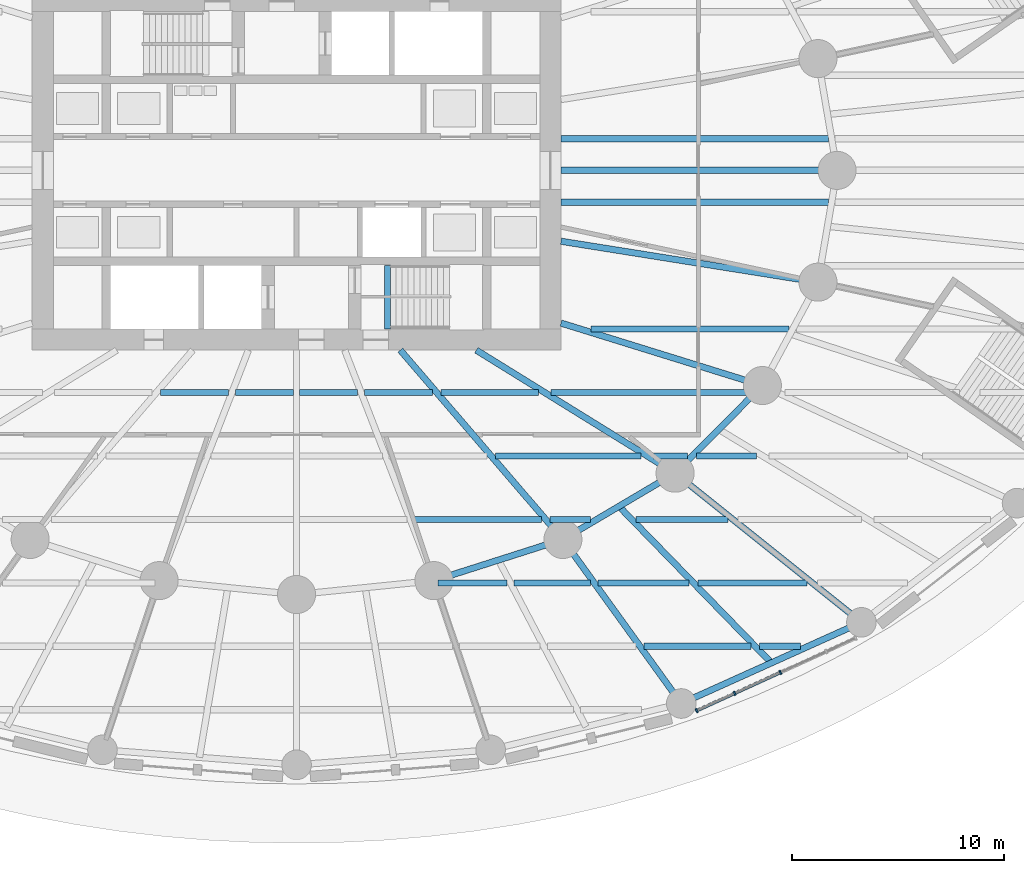
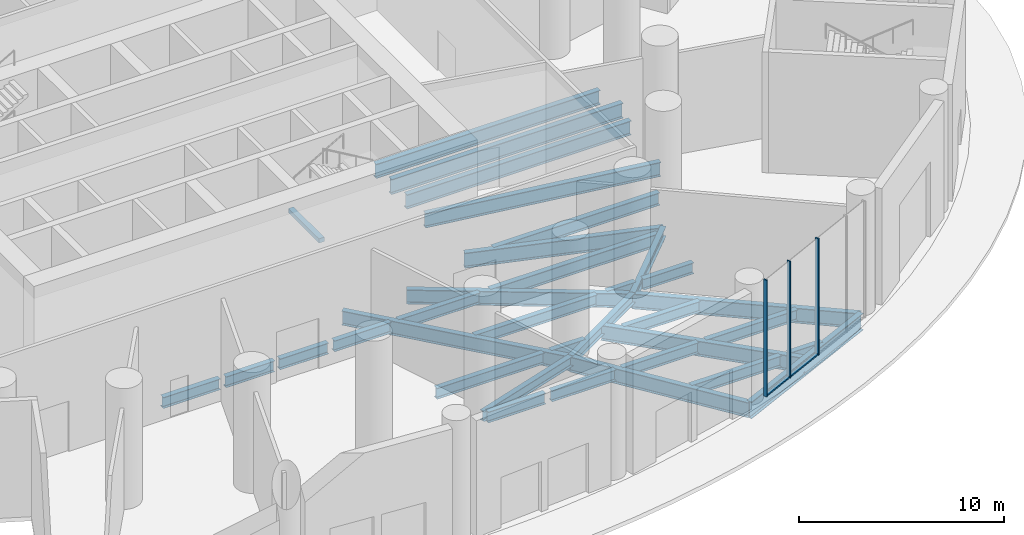
# One storey, part 4 of 22: 34 beams, 5 members, 1 element without a shape of its own.
"""IFC4 building model written with IfcOpenShell, lengths in metres."""

from ifc_helpers import new_model, si_unit, direction, frame, origin, origin_2d, place, context, subcontext, project, spatial, rectangle, i_section, extrude, material, material_profile, profile_set, type_object, element, aggregate, save


model = new_model("IFC4")

# Units and contexts
model_context = context("Model", 3, precision=1e-05, world=origin(), true_north=direction((0.0, 1.0)))
body_context = subcontext(model_context, "Body", "Model", "MODEL_VIEW")
ifc_project = project(units=[si_unit("LENGTHUNIT", "METRE"), si_unit("AREAUNIT", "SQUARE_METRE"), si_unit("VOLUMEUNIT", "CUBIC_METRE"), si_unit("PLANEANGLEUNIT", "RADIAN"), si_unit("MASSUNIT", "GRAM", prefix="KILO")], contexts=[model_context])

# Site, building, storey
site_placement = place(None, origin())
site = spatial("IfcSite", under=ifc_project, at=site_placement, CompositionType="ELEMENT")
building_placement = place(site_placement, origin())
building = spatial("IfcBuilding", under=site, at=building_placement, Name="Hankou Lantern Tower", CompositionType="ELEMENT")
storey_placement = place(building_placement, origin())
storey = spatial("IfcBuildingStorey", under=building, at=storey_placement, Name="L00", CompositionType="ELEMENT", Elevation=0.0)

# Beams
ifc_material_1 = material(Name="Steel Q355B", Category="steel")
ifc_material_profile_1 = material_profile(ifc_material_1, i_section(OverallWidth=0.300048828125, OverallDepth=0.587890625, WebThickness=0.011962890625, FlangeThickness=0.02001953125, FilletRadius=0.01806640625, at=origin_2d()), Name="HM588x300x12x20")
ifc_profile_set_1 = profile_set([ifc_material_profile_1], Name="Steel Q355B")
beam_type_1 = type_object("IfcBeamType", Name="EB16 RING BEAM HM588x300x12x20", PredefinedType="SPANDREL", material=ifc_profile_set_1)
beam_1_placement = place(storey_placement, frame((6.494873046875, -19.391357421875, -0.5439453125), z_axis=(0.952690479428, 0.303942182671, 0.0), x_axis=(-0.303942182671, 0.952690479428, 0.0)))
element("IfcBeam", 1, at=beam_1_placement, inside=storey, type_object=beam_type_1, Name="Ring beam R20-R21 L00", PredefinedType="SPANDREL", context=body_context, shape_type="SweptSolid", body=[
    extrude(i_section(OverallWidth=0.300048828125, OverallDepth=0.587890625, WebThickness=0.011962890625, FlangeThickness=0.02001953125, FilletRadius=0.01806640625, at=origin_2d()), origin(), (0.0, 0.0, 1.0), 6.398681640625),
])
beam_2_placement = place(storey_placement, frame((12.5908203125, -17.446533203125, -0.5439453125), z_axis=(0.860881533543, 0.508805449268, 0.0), x_axis=(-0.508805449268, 0.860881533543, 0.0)))
element("IfcBeam", 2, at=beam_2_placement, inside=storey, type_object=beam_type_1, Name="Ring beam R21-R22 L00", PredefinedType="SPANDREL", context=body_context, shape_type="SweptSolid", body=[
    extrude(i_section(OverallWidth=0.300048828125, OverallDepth=0.587890625, WebThickness=0.011962890625, FlangeThickness=0.02001953125, FilletRadius=0.01806640625, at=origin_2d()), origin(), (0.0, 0.0, 1.0), 6.15771484375),
])
beam_3_placement = place(storey_placement, frame((17.891845703125, -14.3134765625, -0.5439453125), z_axis=(0.705727798394, 0.708483079949, 0.0), x_axis=(-0.708483079949, 0.705727798394, 0.0)))
element("IfcBeam", 3, at=beam_3_placement, inside=storey, type_object=beam_type_1, Name="Ring beam R22-R23 L00", PredefinedType="SPANDREL", context=body_context, shape_type="SweptSolid", body=[
    extrude(i_section(OverallWidth=0.300048828125, OverallDepth=0.587890625, WebThickness=0.011962890625, FlangeThickness=0.02001953125, FilletRadius=0.01806640625, at=origin_2d()), origin(), (0.0, 0.0, 1.0), 5.84814453125),
])
ifc_material_2 = material(Name="Concrete C40", Category="concrete")
ifc_material_profile_2 = material_profile(ifc_material_2, rectangle(XDim=0.300048828125, YDim=0.25, at=origin_2d()), Name="RC 300x250")
ifc_profile_set_2 = profile_set([ifc_material_profile_2], Name="Concrete C40")
beam_type_2 = type_object("IfcBeamType", Name="LB1 STAIR LANDING BEAM RC 300x250", PredefinedType="BEAM", material=ifc_profile_set_2)
beam_4_placement = place(storey_placement, frame((4.300048828125, -4.5, 3.47509765625), z_axis=(0.0, -1.0, 0.0), x_axis=(1.0, 0.0, 0.0)))
element("IfcBeam", 4, at=beam_4_placement, inside=storey, type_object=beam_type_2, Name="Stair STB landing beam L00", PredefinedType="BEAM", context=body_context, shape_type="SweptSolid", body=[
    extrude(rectangle(XDim=0.300048828125, YDim=0.25, at=origin_2d()), origin(), (0.0, 0.0, 1.0), 3.0),
])

# Curtain wall, members
ifc_material_3 = material(Name="Glass, dark grey tinted laminated", Category="glass")
curtain_wall_type = type_object("IfcCurtainWallType", Name="CWP PODIUM CURTAIN WALL", PredefinedType="USERDEFINED", material=ifc_material_3)
curtain_wall_placement = place(storey_placement, origin())
curtain_wall = element("IfcCurtainWall", 5, at=curtain_wall_placement, inside=storey, type_object=curtain_wall_type, Name="CWP L00 PC07", ObjectType="PODIUM GLAZING", PredefinedType="USERDEFINED")
ifc_material_4 = material(Name="Aluminium, black anodised", Category="aluminium")
ifc_material_profile_3 = material_profile(ifc_material_4, rectangle(XDim=0.080078125, YDim=0.199951171875, at=origin_2d()), Name="MU2 80X200")
ifc_profile_set_3 = profile_set([ifc_material_profile_3], Name="Aluminium, black anodised")
member_type_1 = type_object("IfcMemberType", Name="MU2 PODIUM MULLION 80X200", PredefinedType="MULLION", material=ifc_profile_set_3)
member_1_placement = place(storey_placement, frame((18.913818359375, -25.537841796875, 0.0), z_axis=(0.0, 0.0, 1.0), x_axis=(0.909669790944, 0.41533224224, 0.0)))
member_1 = element("IfcMember", 6, at=member_1_placement, type_object=member_type_1, Name="CWP mullion 1", PredefinedType="MULLION", context=body_context, shape_type="SweptSolid", body=[
    extrude(rectangle(XDim=0.080078125, YDim=0.199951171875, at=origin_2d()), origin(), (0.0, 0.0, 1.0), 6.949951171875),
])
member_2_placement = place(storey_placement, frame((20.711669921875, -24.717041015625, 0.0), z_axis=(0.0, 0.0, 1.0), x_axis=(0.909669790944, 0.41533224224, 0.0)))
member_2 = element("IfcMember", 7, at=member_2_placement, type_object=member_type_1, Name="CWP mullion 2", PredefinedType="MULLION", context=body_context, shape_type="SweptSolid", body=[
    extrude(rectangle(XDim=0.080078125, YDim=0.199951171875, at=origin_2d()), origin(), (0.0, 0.0, 1.0), 6.949951171875),
])
member_3_placement = place(storey_placement, frame((22.873046875, -23.730224609375, 0.0), z_axis=(0.0, 0.0, 1.0), x_axis=(0.909669790944, 0.41533224224, 0.0)))
member_3 = element("IfcMember", 8, at=member_3_placement, type_object=member_type_1, Name="CWP mullion 3", PredefinedType="MULLION", context=body_context, shape_type="SweptSolid", body=[
    extrude(rectangle(XDim=0.080078125, YDim=0.199951171875, at=origin_2d()), origin(), (0.0, 0.0, 1.0), 6.949951171875),
])

# Beams
ifc_material_5 = material(Name="Steel Q355B", Category="steel")
ifc_material_profile_4 = material_profile(ifc_material_5, i_section(OverallWidth=0.300048828125, OverallDepth=0.89990234375, WebThickness=0.01611328125, FlangeThickness=0.028076171875, FilletRadius=0.01806640625, at=origin_2d()), Name="HN900x300x16x28")
ifc_profile_set_4 = profile_set([ifc_material_profile_4], Name="Steel Q355B")
beam_type_3 = type_object("IfcBeamType", Name="PB13 PODIUM RADIAL BEAM HN900x300x16x28", PredefinedType="BEAM", material=ifc_profile_set_4)
beam_5_placement = place(storey_placement, frame((12.5908203125, -17.446533203125, -0.699951171875), z_axis=(0.585207097055, -0.810883871807, 0.0), x_axis=(0.810883871807, 0.585207097055, 0.0)))
element("IfcBeam", 9, at=beam_5_placement, inside=storey, type_object=beam_type_3, Name="Podium radial beam R21 L00", PredefinedType="BEAM", context=body_context, shape_type="SweptSolid", body=[
    extrude(i_section(OverallWidth=0.300048828125, OverallDepth=0.89990234375, WebThickness=0.01611328125, FlangeThickness=0.028076171875, FilletRadius=0.01806640625, at=origin_2d()), origin(), (0.0, 0.0, 1.0), 9.56103515625),
])
beam_6_placement = place(storey_placement, frame((17.891845703125, -14.3134765625, -0.699951171875), z_axis=(0.780875142676, -0.624687130931, 0.0), x_axis=(0.624687130931, 0.780875142676, 0.0)))
element("IfcBeam", 10, at=beam_6_placement, inside=storey, type_object=beam_type_3, Name="Podium radial beam R22 L00", PredefinedType="BEAM", context=body_context, shape_type="SweptSolid", body=[
    extrude(i_section(OverallWidth=0.300048828125, OverallDepth=0.89990234375, WebThickness=0.01611328125, FlangeThickness=0.028076171875, FilletRadius=0.01806640625, at=origin_2d()), origin(), (0.0, 0.0, 1.0), 11.28271484375),
])
ifc_material_6 = material(Name="Steel Q355B", Category="steel")
ifc_material_profile_5 = material_profile(ifc_material_6, i_section(OverallWidth=0.300048828125, OverallDepth=1.0, WebThickness=0.01904296875, FlangeThickness=0.035888671875, FilletRadius=0.01806640625, at=origin_2d()), Name="HN1000x300x19x36")
ifc_profile_set_5 = profile_set([ifc_material_profile_5], Name="Steel Q355B")
beam_type_4 = type_object("IfcBeamType", Name="PR22 PODIUM RING BEAM HN1000x300x19x36", PredefinedType="BEAM", material=ifc_profile_set_5)
beam_7_placement = place(storey_placement, frame((18.18603515625, -25.199462890625, -0.75), z_axis=(0.911695429723, 0.410866697874, 0.0), x_axis=(-0.410866697874, 0.911695429723, 0.0)))
element("IfcBeam", 11, at=beam_7_placement, inside=storey, type_object=beam_type_4, Name="Podium ring beam R21-R22 L00", PredefinedType="BEAM", context=body_context, shape_type="SweptSolid", body=[
    extrude(i_section(OverallWidth=0.300048828125, OverallDepth=1.0, WebThickness=0.01904296875, FlangeThickness=0.035888671875, FilletRadius=0.01806640625, at=origin_2d()), origin(), (0.0, 0.0, 1.0), 9.341064453125),
])
ifc_material_7 = material(Name="Steel Q355B", Category="steel")
ifc_material_profile_6 = material_profile(ifc_material_7, i_section(OverallWidth=0.300048828125, OverallDepth=0.89990234375, WebThickness=0.01611328125, FlangeThickness=0.028076171875, FilletRadius=0.01806640625, at=origin_2d()), Name="HN900x300x16x28")
ifc_profile_set_6 = profile_set([ifc_material_profile_6], Name="Steel Q355B")
beam_type_5 = type_object("IfcBeamType", Name="PS13 PODIUM SECONDARY BEAM HN900x300x16x28", PredefinedType="JOIST", material=ifc_profile_set_6)
beam_8_placement = place(storey_placement, frame((15.2412109375, -15.8798828125, -0.699951171875), z_axis=(0.697467529957, -0.716616385981, 0.0), x_axis=(0.716616385981, 0.697467529957, 0.0)))
element("IfcBeam", 12, at=beam_8_placement, inside=storey, type_object=beam_type_5, Name="Podium secondary beam bay R21 L00", PredefinedType="JOIST", context=body_context, shape_type="SweptSolid", body=[
    extrude(i_section(OverallWidth=0.300048828125, OverallDepth=0.89990234375, WebThickness=0.01611328125, FlangeThickness=0.028076171875, FilletRadius=0.01806640625, at=origin_2d()), origin(), (0.0, 0.0, 1.0), 10.3271484375),
])
ifc_material_8 = material(Name="Steel Q355B", Category="steel")
ifc_material_profile_7 = material_profile(ifc_material_8, i_section(OverallWidth=0.300048828125, OverallDepth=0.85009765625, WebThickness=0.01611328125, FlangeThickness=0.027099609375, FilletRadius=0.01806640625, at=origin_2d()), Name="HN850x300x16x27")
ifc_profile_set_7 = profile_set([ifc_material_profile_7], Name="Steel Q355B")
beam_type_6 = type_object("IfcBeamType", Name="RB12 RADIAL BEAM HN850x300x16x27", PredefinedType="BEAM", material=ifc_profile_set_7)
beam_9_placement = place(storey_placement, frame((4.907470703125, -8.5, -0.675048828125), z_axis=(0.651519061225, -0.758632264579, 0.0), x_axis=(0.758632264579, 0.651519061225, 0.0)))
element("IfcBeam", 13, at=beam_9_placement, inside=storey, type_object=beam_type_6, Name="Radial beam R21 L00", PredefinedType="BEAM", context=body_context, shape_type="SweptSolid", body=[
    extrude(i_section(OverallWidth=0.300048828125, OverallDepth=0.85009765625, WebThickness=0.01611328125, FlangeThickness=0.027099609375, FilletRadius=0.01806640625, at=origin_2d()), origin(), (0.0, 0.0, 1.0), 11.79296875),
])
beam_10_placement = place(storey_placement, frame((8.5, -8.5, -0.675048828125), z_axis=(0.850286343288, -0.526320372414, 0.0), x_axis=(0.526320372414, 0.850286343288, 0.0)))
element("IfcBeam", 14, at=beam_10_placement, inside=storey, type_object=beam_type_6, Name="Radial beam R22 L00", PredefinedType="BEAM", context=body_context, shape_type="SweptSolid", body=[
    extrude(i_section(OverallWidth=0.300048828125, OverallDepth=0.85009765625, WebThickness=0.01611328125, FlangeThickness=0.027099609375, FilletRadius=0.01806640625, at=origin_2d()), origin(), (0.0, 0.0, 1.0), 11.04541015625),
])
beam_11_placement = place(storey_placement, frame((12.5, -3.349365234375, -0.675048828125), z_axis=(0.987563081343, -0.157223281893, 0.0), x_axis=(0.157223281893, 0.987563081343, 0.0)))
element("IfcBeam", 15, at=beam_11_placement, inside=storey, type_object=beam_type_6, Name="Radial beam R24 L00", PredefinedType="BEAM", context=body_context, shape_type="SweptSolid", body=[
    extrude(i_section(OverallWidth=0.300048828125, OverallDepth=0.85009765625, WebThickness=0.01611328125, FlangeThickness=0.027099609375, FilletRadius=0.01806640625, at=origin_2d()), origin(), (0.0, 0.0, 1.0), 12.300048828125),
])
ifc_material_9 = material(Name="Steel Q355B", Category="steel")
ifc_material_profile_8 = material_profile(ifc_material_9, i_section(OverallWidth=0.300048828125, OverallDepth=0.89990234375, WebThickness=0.01611328125, FlangeThickness=0.028076171875, FilletRadius=0.01806640625, at=origin_2d()), Name="HN900x300x16x28")
ifc_profile_set_8 = profile_set([ifc_material_profile_8], Name="Steel Q355B")
beam_type_7 = type_object("IfcBeamType", Name="RB13 RADIAL BEAM HN900x300x16x28", PredefinedType="BEAM", material=ifc_profile_set_8)
beam_12_placement = place(storey_placement, frame((12.5, 0.0, -0.699951171875), z_axis=(1.0, 0.0, 0.0), x_axis=(0.0, 1.0, 0.0)))
element("IfcBeam", 16, at=beam_12_placement, inside=storey, type_object=beam_type_7, Name="Radial beam R01 L00", PredefinedType="BEAM", context=body_context, shape_type="SweptSolid", body=[
    extrude(i_section(OverallWidth=0.300048828125, OverallDepth=0.89990234375, WebThickness=0.01611328125, FlangeThickness=0.028076171875, FilletRadius=0.01806640625, at=origin_2d()), origin(), (0.0, 0.0, 1.0), 13.050048828125),
])
beam_13_placement = place(storey_placement, frame((12.5, -7.216796875, -0.699951171875), z_axis=(0.955087327755, -0.29632447817, 0.0), x_axis=(0.29632447817, 0.955087327755, 0.0)))
element("IfcBeam", 17, at=beam_13_placement, inside=storey, type_object=beam_type_7, Name="Radial beam R23 L00", PredefinedType="BEAM", context=body_context, shape_type="SweptSolid", body=[
    extrude(i_section(OverallWidth=0.300048828125, OverallDepth=0.89990234375, WebThickness=0.01611328125, FlangeThickness=0.028076171875, FilletRadius=0.01806640625, at=origin_2d()), origin(), (0.0, 0.0, 1.0), 9.966552734375),
])
ifc_material_10 = material(Name="Steel Q355B", Category="steel")
ifc_material_profile_9 = material_profile(ifc_material_10, i_section(OverallWidth=0.300048828125, OverallDepth=0.75, WebThickness=0.012939453125, FlangeThickness=0.02392578125, FilletRadius=0.01806640625, at=origin_2d()), Name="HN750x300x13x24")
ifc_profile_set_9 = profile_set([ifc_material_profile_9], Name="Steel Q355B")
beam_type_8 = type_object("IfcBeamType", Name="SB10 SECONDARY BEAM HN750x300x13x24", PredefinedType="JOIST", material=ifc_profile_set_9)
beam_14_placement = place(storey_placement, frame((12.01611328125, -10.5, -0.625), z_axis=(1.0, 0.0, 0.0), x_axis=(0.0, 1.0, 0.0)))
element("IfcBeam", 18, at=beam_14_placement, inside=storey, type_object=beam_type_8, Name="Floor joist J068 L00", PredefinedType="JOIST", context=body_context, shape_type="SweptSolid", body=[
    extrude(i_section(OverallWidth=0.300048828125, OverallDepth=0.75, WebThickness=0.012939453125, FlangeThickness=0.02392578125, FilletRadius=0.01806640625, at=origin_2d()), origin(), (0.0, 0.0, 1.0), 9.462646484375),
])
beam_15_placement = place(storey_placement, frame((13.918701171875, -7.5, -0.625), z_axis=(1.0, 0.0, 0.0), x_axis=(0.0, 1.0, 0.0)))
element("IfcBeam", 19, at=beam_15_placement, inside=storey, type_object=beam_type_8, Name="Floor joist J074 L00", PredefinedType="JOIST", context=body_context, shape_type="SweptSolid", body=[
    extrude(i_section(OverallWidth=0.300048828125, OverallDepth=0.75, WebThickness=0.012939453125, FlangeThickness=0.02392578125, FilletRadius=0.01806640625, at=origin_2d()), origin(), (0.0, 0.0, 1.0), 9.365966796875),
])
ifc_material_11 = material(Name="Steel Q355B", Category="steel")
ifc_material_profile_10 = material_profile(ifc_material_11, i_section(OverallWidth=0.300048828125, OverallDepth=0.85009765625, WebThickness=0.01611328125, FlangeThickness=0.027099609375, FilletRadius=0.01806640625, at=origin_2d()), Name="HN850x300x16x27")
ifc_profile_set_10 = profile_set([ifc_material_profile_10], Name="Steel Q355B")
beam_type_9 = type_object("IfcBeamType", Name="SB12 SECONDARY BEAM HN850x300x16x27", PredefinedType="JOIST", material=ifc_profile_set_10)
for number, where, z_axis, x_axis, name in (
    (20, (12.5, -1.5, -0.675048828125), (1.0, 0.0, 0.0), (0.0, 1.0, 0.0), "Floor joist J085 L00"),
    (21, (12.5, 1.5, -0.675048828125), (1.0, 0.0, 0.0), (0.0, 1.0, 0.0), "Floor joist J089 L00"),
):
    element("IfcBeam", number, at=place(storey_placement, frame(where, z_axis=z_axis, x_axis=x_axis)), inside=storey, type_object=beam_type_9, Name=name, PredefinedType="JOIST", context=body_context, shape_type="SweptSolid", body=[
        extrude(i_section(OverallWidth=0.300048828125, OverallDepth=0.85009765625, WebThickness=0.01611328125, FlangeThickness=0.027099609375, FilletRadius=0.01806640625, at=origin_2d()), origin(), (0.0, 0.0, 1.0), 12.641357421875),
    ])
ifc_material_12 = material(Name="Steel Q355B", Category="steel")
ifc_material_profile_11 = material_profile(ifc_material_12, i_section(OverallWidth=0.300048828125, OverallDepth=0.64990234375, WebThickness=0.010986328125, FlangeThickness=0.01708984375, FilletRadius=0.01806640625, at=origin_2d()), Name="HN650x300x11x17")
ifc_profile_set_11 = profile_set([ifc_material_profile_11], Name="Steel Q355B")
beam_type_10 = type_object("IfcBeamType", Name="SB8 SECONDARY BEAM HN650x300x11x17", PredefinedType="JOIST", material=ifc_profile_set_11)
beam_16_placement = place(storey_placement, frame((16.423095703125, -22.5, -0.574951171875), z_axis=(1.0, 0.0, 0.0), x_axis=(0.0, 1.0, 0.0)))
element("IfcBeam", 22, at=beam_16_placement, inside=storey, type_object=beam_type_10, Name="Floor joist J019 L00", PredefinedType="JOIST", context=body_context, shape_type="SweptSolid", body=[
    extrude(i_section(OverallWidth=0.300048828125, OverallDepth=0.64990234375, WebThickness=0.010986328125, FlangeThickness=0.01708984375, FilletRadius=0.01806640625, at=origin_2d()), origin(), (0.0, 0.0, 1.0), 5.052001953125),
])
beam_17_placement = place(storey_placement, frame((21.893798828125, -22.5, -0.574951171875), z_axis=(1.0, 0.0, 0.0), x_axis=(0.0, 1.0, 0.0)))
element("IfcBeam", 23, at=beam_17_placement, inside=storey, type_object=beam_type_10, Name="Floor joist J020 L00", PredefinedType="JOIST", context=body_context, shape_type="SweptSolid", body=[
    extrude(i_section(OverallWidth=0.300048828125, OverallDepth=0.64990234375, WebThickness=0.010986328125, FlangeThickness=0.01708984375, FilletRadius=0.01806640625, at=origin_2d()), origin(), (0.0, 0.0, 1.0), 1.917236328125),
])
beam_18_placement = place(storey_placement, frame((6.689453125, -19.5, -0.574951171875), z_axis=(1.0, 0.0, 0.0), x_axis=(0.0, 1.0, 0.0)))
element("IfcBeam", 24, at=beam_18_placement, inside=storey, type_object=beam_type_10, Name="Floor joist J028 L00", PredefinedType="JOIST", context=body_context, shape_type="SweptSolid", body=[
    extrude(i_section(OverallWidth=0.300048828125, OverallDepth=0.64990234375, WebThickness=0.010986328125, FlangeThickness=0.01708984375, FilletRadius=0.01806640625, at=origin_2d()), origin(), (0.0, 0.0, 1.0), 3.251953125),
])
beam_19_placement = place(storey_placement, frame((10.2802734375, -19.5, -0.574951171875), z_axis=(1.0, 0.0, 0.0), x_axis=(0.0, 1.0, 0.0)))
element("IfcBeam", 25, at=beam_19_placement, inside=storey, type_object=beam_type_10, Name="Floor joist J029 L00", PredefinedType="JOIST", context=body_context, shape_type="SweptSolid", body=[
    extrude(i_section(OverallWidth=0.300048828125, OverallDepth=0.64990234375, WebThickness=0.010986328125, FlangeThickness=0.01708984375, FilletRadius=0.01806640625, at=origin_2d()), origin(), (0.0, 0.0, 1.0), 3.607666015625),
])
beam_20_placement = place(storey_placement, frame((14.2578125, -19.5, -0.574951171875), z_axis=(1.0, 0.0, 0.0), x_axis=(0.0, 1.0, 0.0)))
element("IfcBeam", 26, at=beam_20_placement, inside=storey, type_object=beam_type_10, Name="Floor joist J030 L00", PredefinedType="JOIST", context=body_context, shape_type="SweptSolid", body=[
    extrude(i_section(OverallWidth=0.300048828125, OverallDepth=0.64990234375, WebThickness=0.010986328125, FlangeThickness=0.01708984375, FilletRadius=0.01806640625, at=origin_2d()), origin(), (0.0, 0.0, 1.0), 4.29736328125),
])
beam_21_placement = place(storey_placement, frame((18.973876953125, -19.5, -0.574951171875), z_axis=(1.0, 0.0, 0.0), x_axis=(0.0, 1.0, 0.0)))
element("IfcBeam", 27, at=beam_21_placement, inside=storey, type_object=beam_type_10, Name="Floor joist J031 L00", PredefinedType="JOIST", context=body_context, shape_type="SweptSolid", body=[
    extrude(i_section(OverallWidth=0.300048828125, OverallDepth=0.64990234375, WebThickness=0.010986328125, FlangeThickness=0.01708984375, FilletRadius=0.01806640625, at=origin_2d()), origin(), (0.0, 0.0, 1.0), 5.160888671875),
])
beam_22_placement = place(storey_placement, frame((5.5361328125, -16.5, -0.574951171875), z_axis=(1.0, 0.0, 0.0), x_axis=(0.0, 1.0, 0.0)))
element("IfcBeam", 28, at=beam_22_placement, inside=storey, type_object=beam_type_10, Name="Floor joist J040 L00", PredefinedType="JOIST", context=body_context, shape_type="SweptSolid", body=[
    extrude(i_section(OverallWidth=0.300048828125, OverallDepth=0.64990234375, WebThickness=0.010986328125, FlangeThickness=0.01708984375, FilletRadius=0.01806640625, at=origin_2d()), origin(), (0.0, 0.0, 1.0), 6.044189453125),
])
beam_23_placement = place(storey_placement, frame((11.975830078125, -16.5, -0.574951171875), z_axis=(1.0, 0.0, 0.0), x_axis=(0.0, 1.0, 0.0)))
element("IfcBeam", 29, at=beam_23_placement, inside=storey, type_object=beam_type_10, Name="Floor joist J041 L00", PredefinedType="JOIST", context=body_context, shape_type="SweptSolid", body=[
    extrude(i_section(OverallWidth=0.300048828125, OverallDepth=0.64990234375, WebThickness=0.010986328125, FlangeThickness=0.01708984375, FilletRadius=0.01806640625, at=origin_2d()), origin(), (0.0, 0.0, 1.0), 1.921630859375),
])
beam_24_placement = place(storey_placement, frame((16.05419921875, -16.5, -0.574951171875), z_axis=(1.0, 0.0, 0.0), x_axis=(0.0, 1.0, 0.0)))
element("IfcBeam", 30, at=beam_24_placement, inside=storey, type_object=beam_type_10, Name="Floor joist J042 L00", PredefinedType="JOIST", context=body_context, shape_type="SweptSolid", body=[
    extrude(i_section(OverallWidth=0.300048828125, OverallDepth=0.64990234375, WebThickness=0.010986328125, FlangeThickness=0.01708984375, FilletRadius=0.01806640625, at=origin_2d()), origin(), (0.0, 0.0, 1.0), 4.33056640625),
])
beam_25_placement = place(storey_placement, frame((9.3994140625, -13.5, -0.574951171875), z_axis=(1.0, 0.0, 0.0), x_axis=(0.0, 1.0, 0.0)))
element("IfcBeam", 31, at=beam_25_placement, inside=storey, type_object=beam_type_10, Name="Floor joist J054 L00", PredefinedType="JOIST", context=body_context, shape_type="SweptSolid", body=[
    extrude(i_section(OverallWidth=0.300048828125, OverallDepth=0.64990234375, WebThickness=0.010986328125, FlangeThickness=0.01708984375, FilletRadius=0.01806640625, at=origin_2d()), origin(), (0.0, 0.0, 1.0), 6.893310546875),
])
beam_26_placement = place(storey_placement, frame((16.86279296875, -13.5, -0.574951171875), z_axis=(1.0, 0.0, 0.0), x_axis=(0.0, 1.0, 0.0)))
element("IfcBeam", 32, at=beam_26_placement, inside=storey, type_object=beam_type_10, Name="Floor joist J055 L00", PredefinedType="JOIST", context=body_context, shape_type="SweptSolid", body=[
    extrude(i_section(OverallWidth=0.300048828125, OverallDepth=0.64990234375, WebThickness=0.010986328125, FlangeThickness=0.01708984375, FilletRadius=0.01806640625, at=origin_2d()), origin(), (0.0, 0.0, 1.0), 1.62744140625),
])
beam_27_placement = place(storey_placement, frame((18.913818359375, -13.5, -0.574951171875), z_axis=(1.0, 0.0, 0.0), x_axis=(0.0, 1.0, 0.0)))
element("IfcBeam", 33, at=beam_27_placement, inside=storey, type_object=beam_type_10, Name="Floor joist J056 L00", PredefinedType="JOIST", context=body_context, shape_type="SweptSolid", body=[
    extrude(i_section(OverallWidth=0.300048828125, OverallDepth=0.64990234375, WebThickness=0.010986328125, FlangeThickness=0.01708984375, FilletRadius=0.01806640625, at=origin_2d()), origin(), (0.0, 0.0, 1.0), 2.832275390625),
])
beam_28_placement = place(storey_placement, frame((-6.427490234375, -10.5, -0.574951171875), z_axis=(1.0, 0.0, 0.0), x_axis=(0.0, 1.0, 0.0)))
element("IfcBeam", 34, at=beam_28_placement, inside=storey, type_object=beam_type_10, Name="Floor joist J063 L00", PredefinedType="JOIST", context=body_context, shape_type="SweptSolid", body=[
    extrude(i_section(OverallWidth=0.300048828125, OverallDepth=0.64990234375, WebThickness=0.010986328125, FlangeThickness=0.01708984375, FilletRadius=0.01806640625, at=origin_2d()), origin(), (0.0, 0.0, 1.0), 3.214599609375),
])
for number, where, z_axis, x_axis, name in (
    (35, (-2.89111328125, -10.5, -0.574951171875), (1.0, 0.0, 0.0), (0.0, 1.0, 0.0), "Floor joist J064 L00"),
    (36, (0.14990234375, -10.5, -0.574951171875), (1.0, 0.0, 0.0), (0.0, 1.0, 0.0), "Floor joist J065 L00"),
):
    element("IfcBeam", number, at=place(storey_placement, frame(where, z_axis=z_axis, x_axis=x_axis)), inside=storey, type_object=beam_type_10, Name=name, PredefinedType="JOIST", context=body_context, shape_type="SweptSolid", body=[
        extrude(i_section(OverallWidth=0.300048828125, OverallDepth=0.64990234375, WebThickness=0.010986328125, FlangeThickness=0.01708984375, FilletRadius=0.01806640625, at=origin_2d()), origin(), (0.0, 0.0, 1.0), 2.7412109375),
    ])
beam_29_placement = place(storey_placement, frame((3.212890625, -10.5, -0.574951171875), z_axis=(1.0, 0.0, 0.0), x_axis=(0.0, 1.0, 0.0)))
element("IfcBeam", 37, at=beam_29_placement, inside=storey, type_object=beam_type_10, Name="Floor joist J066 L00", PredefinedType="JOIST", context=body_context, shape_type="SweptSolid", body=[
    extrude(i_section(OverallWidth=0.300048828125, OverallDepth=0.64990234375, WebThickness=0.010986328125, FlangeThickness=0.01708984375, FilletRadius=0.01806640625, at=origin_2d()), origin(), (0.0, 0.0, 1.0), 3.214599609375),
])
beam_30_placement = place(storey_placement, frame((6.82275390625, -10.5, -0.574951171875), z_axis=(1.0, 0.0, 0.0), x_axis=(0.0, 1.0, 0.0)))
element("IfcBeam", 38, at=beam_30_placement, inside=storey, type_object=beam_type_10, Name="Floor joist J067 L00", PredefinedType="JOIST", context=body_context, shape_type="SweptSolid", body=[
    extrude(i_section(OverallWidth=0.300048828125, OverallDepth=0.64990234375, WebThickness=0.010986328125, FlangeThickness=0.01708984375, FilletRadius=0.01806640625, at=origin_2d()), origin(), (0.0, 0.0, 1.0), 4.623291015625),
])

# Member
ifc_material_13 = material(Name="Aluminium, black anodised", Category="aluminium")
ifc_material_profile_12 = material_profile(ifc_material_13, rectangle(XDim=0.14990234375, YDim=0.080078125, at=origin_2d()), Name="TR2 150X80")
ifc_profile_set_12 = profile_set([ifc_material_profile_12], Name="Aluminium, black anodised")
member_type_2 = type_object("IfcMemberType", Name="TR2 PODIUM TRANSOM 150X80", PredefinedType="USERDEFINED", material=ifc_profile_set_12)
member_4_placement = place(storey_placement, frame((18.9501953125, -25.521240234375, 0.0400390625), z_axis=(0.909677430468, 0.41531550958, 0.0), x_axis=(-0.41531550958, 0.909677430468, 0.0)))
member_4 = element("IfcMember", 39, at=member_4_placement, type_object=member_type_2, Name="CWP transom 1", ObjectType="TRANSOM", PredefinedType="USERDEFINED", context=body_context, shape_type="SweptSolid", body=[
    extrude(rectangle(XDim=0.14990234375, YDim=0.080078125, at=origin_2d()), origin(), (0.0, 0.0, 1.0), 1.896484375),
])

member_5_placement = place(storey_placement, frame((20.748046875, -24.700439453125, 0.0400390625), z_axis=(0.909669664149, 0.415332519949, 0.0), x_axis=(-0.415332519949, 0.909669664149, 0.0)))
member_5 = element("IfcMember", 40, at=member_5_placement, type_object=member_type_2, Name="CWP transom 2", ObjectType="TRANSOM", PredefinedType="USERDEFINED", context=body_context, shape_type="SweptSolid", body=[
    extrude(rectangle(XDim=0.14990234375, YDim=0.080078125, at=origin_2d()), origin(), (0.0, 0.0, 1.0), 2.296142578125),
])

aggregate(curtain_wall, [member_1, member_2, member_3, member_4, member_5])

save(model, "model.ifc")
